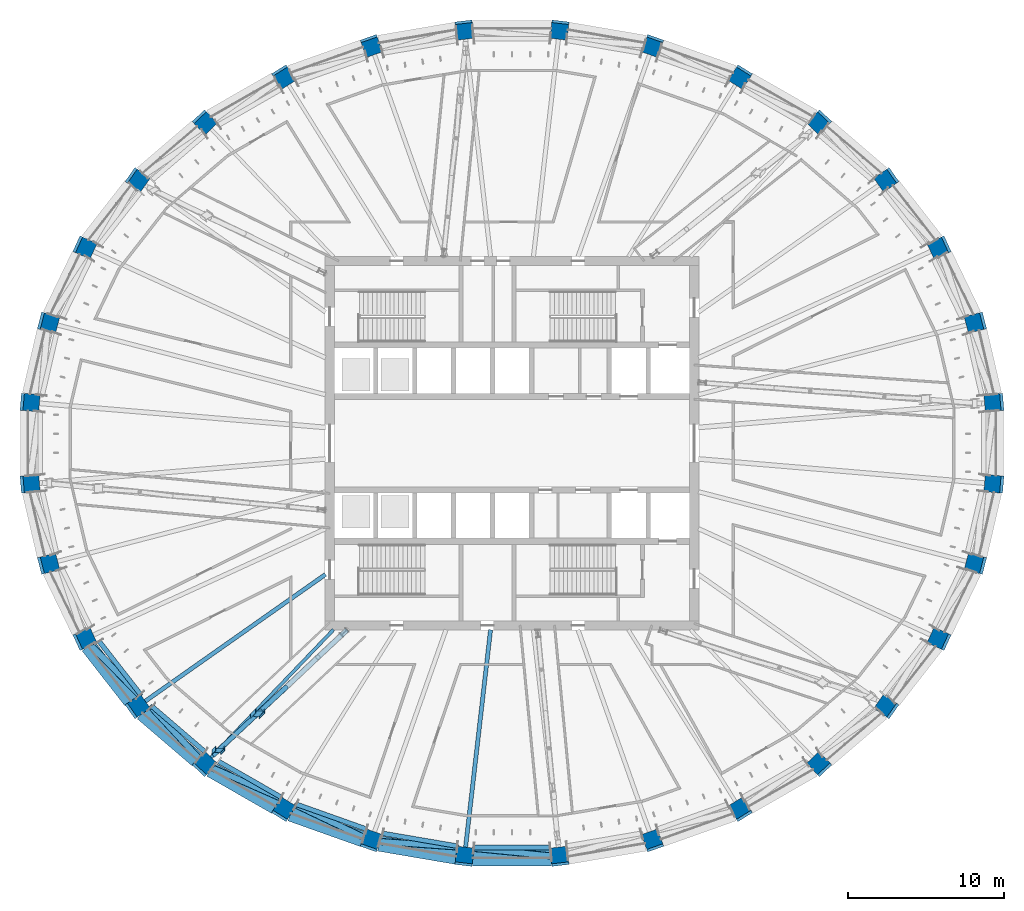
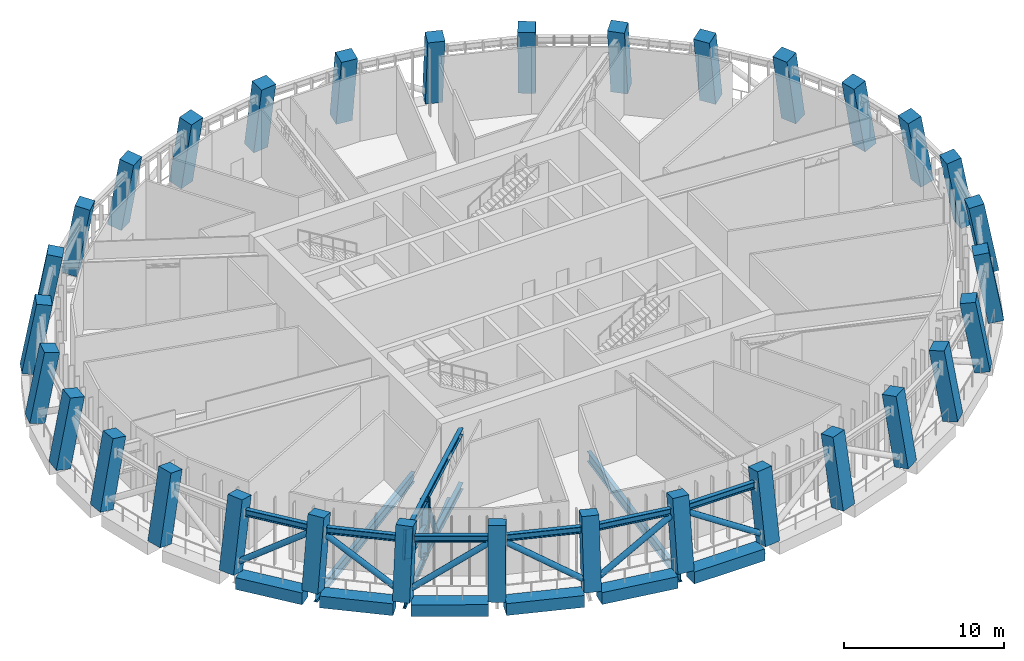
# One storey, part 1 of 20: 32 columns, 18 members, 9 beams.
"""IFC4 building model written with IfcOpenShell, lengths in metres."""

from ifc_helpers import new_model, si_unit, direction, frame, origin, origin_2d, place, context, subcontext, project, spatial, rectangle, hollow_circle, i_section, extrude, material, material_profile, profile_set, type_object, element, save


model = new_model("IFC4")

# Units and contexts
model_context = context("Model", 3, precision=1e-05, world=origin(), true_north=direction((0.0, 1.0)))
body_context = subcontext(model_context, "Body", "Model", "MODEL_VIEW")
ifc_project = project(units=[si_unit("LENGTHUNIT", "METRE"), si_unit("AREAUNIT", "SQUARE_METRE"), si_unit("VOLUMEUNIT", "CUBIC_METRE"), si_unit("PLANEANGLEUNIT", "RADIAN"), si_unit("MASSUNIT", "GRAM", prefix="KILO")], contexts=[model_context])

# Site, building, storey
site_placement = place(None, origin())
site = spatial("IfcSite", under=ifc_project, at=site_placement, CompositionType="ELEMENT")
building_placement = place(site_placement, origin())
building = spatial("IfcBuilding", under=site, at=building_placement, Name="Halqa Exchange Tower", CompositionType="ELEMENT")
storey_placement = place(building_placement, frame((0.0, 0.0, 250.89990234375)))
storey = spatial("IfcBuildingStorey", under=building, at=storey_placement, Name="L58", CompositionType="ELEMENT", Elevation=250.89990234375)

# Columns
ifc_material_1 = material(Name="Concrete C60/75", Category="concrete")
ifc_material_profile_1 = material_profile(ifc_material_1, rectangle(XDim=1.10009765625, YDim=1.0, at=origin_2d()), Name="1100 x 1000")
ifc_profile_set_1 = profile_set([ifc_material_profile_1], Name="Concrete C60/75")
column_type = type_object("IfcColumnType", Name="RC ring column 1100 x 1000 C60/75", PredefinedType="COLUMN", material=ifc_profile_set_1)
column_1_placement = place(storey_placement, frame((31.04345703125, 2.62060546875, 0.090576171875), z_axis=(-0.181191645558, -0.015271801555, 0.983329222416), x_axis=(0.083987554909, -0.996466803572, 0.0)))
element("IfcColumn", 1, at=column_1_placement, inside=storey, type_object=column_type, Name="Ring column 1", PredefinedType="COLUMN", context=body_context, shape_type="SweptSolid", body=[
    extrude(rectangle(XDim=1.10009765625, YDim=1.0, at=origin_2d()), origin(), (0.0, 0.0, 1.0), 5.307373046875),
])
column_2_placement = place(storey_placement, frame((29.8505859375, 7.76171875, 0.08984375), z_axis=(-0.174299234712, -0.045357362213, 0.983647541791), x_axis=(0.251839594723, -0.967768990271, 0.0)))
element("IfcColumn", 2, at=column_2_placement, inside=storey, type_object=column_type, Name="Ring column 2", PredefinedType="COLUMN", context=body_context, shape_type="SweptSolid", body=[
    extrude(rectangle(XDim=1.10009765625, YDim=1.0, at=origin_2d()), origin(), (0.0, 0.0, 1.0), 5.30712890625),
])
column_3_placement = place(storey_placement, frame((27.5107421875, 12.604248046875, 0.088134765625), z_axis=(-0.160721780276, -0.073644982891, 0.984248406572), x_axis=(0.416565116305, -0.909105881555, 0.0)))
element("IfcColumn", 3, at=column_3_placement, inside=storey, type_object=column_type, Name="Ring column 3", PredefinedType="COLUMN", context=body_context, shape_type="SweptSolid", body=[
    extrude(rectangle(XDim=1.10009765625, YDim=1.0, at=origin_2d()), origin(), (0.0, 0.0, 1.0), 5.307373046875),
])
column_4_placement = place(storey_placement, frame((24.11376953125, 16.96240234375, 0.0859375), z_axis=(-0.14102688006, -0.099169586892, 0.985026300226), x_axis=(0.575215805529, -0.818001697473, 0.0)))
element("IfcColumn", 4, at=column_4_placement, inside=storey, type_object=column_type, Name="Ring column 4", PredefinedType="COLUMN", context=body_context, shape_type="SweptSolid", body=[
    extrude(rectangle(XDim=1.10009765625, YDim=1.0, at=origin_2d()), origin(), (0.0, 0.0, 1.0), 5.307861328125),
])
column_5_placement = place(storey_placement, frame((19.789794921875, 20.669189453125, 0.08349609375), z_axis=(-0.115812481815, -0.12096379157, 0.985877898213), x_axis=(0.722319686129, -0.691559304059, 0.0)))
element("IfcColumn", 5, at=column_5_placement, inside=storey, type_object=column_type, Name="Ring column 5", PredefinedType="COLUMN", context=body_context, shape_type="SweptSolid", body=[
    extrude(rectangle(XDim=1.10009765625, YDim=1.0, at=origin_2d()), origin(), (0.0, 0.0, 1.0), 5.30810546875),
])
column_6_placement = place(storey_placement, frame((14.705322265625, 23.581787109375, 0.081298828125), z_axis=(-0.086092626008, -0.138152910538, 0.986661964939), x_axis=(0.848695936688, -0.528881089707, 0.0)))
element("IfcColumn", 6, at=column_6_placement, inside=storey, type_object=column_type, Name="Ring column 6", PredefinedType="COLUMN", context=body_context, shape_type="SweptSolid", body=[
    extrude(rectangle(XDim=1.10009765625, YDim=1.0, at=origin_2d()), origin(), (0.0, 0.0, 1.0), 5.30859375),
])
column_7_placement = place(storey_placement, frame((9.0556640625, 25.587890625, 0.079345703125), z_axis=(-0.053067495482, -0.149959361151, 0.987266950184), x_axis=(0.942712482292, -0.333606318481, 0.0)))
element("IfcColumn", 7, at=column_7_placement, inside=storey, type_object=column_type, Name="Ring column 7", PredefinedType="COLUMN", context=body_context, shape_type="SweptSolid", body=[
    extrude(rectangle(XDim=1.10009765625, YDim=1.0, at=origin_2d()), origin(), (0.0, 0.0, 1.0), 5.30908203125),
])
for number, where, z_axis, x_axis, name in (
    (8, (3.057861328125, 26.610595703125, 0.078369140625), (-0.017979718295, -0.155977505007, 0.987596956082), (0.993421756162, -0.11451294418, 0.0), "Ring column 8"),
    (9, (-3.057861328125, 26.610595703125, 0.078369140625), (0.017979718295, -0.155977505007, 0.987596956082), (0.993421756162, 0.11451294418, 0.0), "Ring column 9"),
):
    element("IfcColumn", number, at=place(storey_placement, frame(where, z_axis=z_axis, x_axis=x_axis)), inside=storey, type_object=column_type, Name=name, PredefinedType="COLUMN", context=body_context, shape_type="SweptSolid", body=[
        extrude(rectangle(XDim=1.10009765625, YDim=1.0, at=origin_2d()), origin(), (0.0, 0.0, 1.0), 5.309326171875),
    ])
column_8_placement = place(storey_placement, frame((-9.0556640625, 25.587890625, 0.079345703125), z_axis=(0.053067495482, -0.149959361151, 0.987266950184), x_axis=(0.942712482292, 0.333606318481, 0.0)))
element("IfcColumn", 10, at=column_8_placement, inside=storey, type_object=column_type, Name="Ring column 10", PredefinedType="COLUMN", context=body_context, shape_type="SweptSolid", body=[
    extrude(rectangle(XDim=1.10009765625, YDim=1.0, at=origin_2d()), origin(), (0.0, 0.0, 1.0), 5.30908203125),
])
column_9_placement = place(storey_placement, frame((-14.705322265625, 23.581787109375, 0.081298828125), z_axis=(0.086092626008, -0.138152910538, 0.986661964939), x_axis=(0.848695936688, 0.528881089707, 0.0)))
element("IfcColumn", 11, at=column_9_placement, inside=storey, type_object=column_type, Name="Ring column 11", PredefinedType="COLUMN", context=body_context, shape_type="SweptSolid", body=[
    extrude(rectangle(XDim=1.10009765625, YDim=1.0, at=origin_2d()), origin(), (0.0, 0.0, 1.0), 5.30859375),
])
column_10_placement = place(storey_placement, frame((-19.789794921875, 20.669189453125, 0.08349609375), z_axis=(0.115812481815, -0.12096379157, 0.985877898213), x_axis=(0.722319686129, 0.691559304059, 0.0)))
element("IfcColumn", 12, at=column_10_placement, inside=storey, type_object=column_type, Name="Ring column 12", PredefinedType="COLUMN", context=body_context, shape_type="SweptSolid", body=[
    extrude(rectangle(XDim=1.10009765625, YDim=1.0, at=origin_2d()), origin(), (0.0, 0.0, 1.0), 5.30810546875),
])
column_11_placement = place(storey_placement, frame((-24.11376953125, 16.96240234375, 0.0859375), z_axis=(0.14102688006, -0.099169586892, 0.985026300226), x_axis=(0.575215805529, 0.818001697473, 0.0)))
element("IfcColumn", 13, at=column_11_placement, inside=storey, type_object=column_type, Name="Ring column 13", PredefinedType="COLUMN", context=body_context, shape_type="SweptSolid", body=[
    extrude(rectangle(XDim=1.10009765625, YDim=1.0, at=origin_2d()), origin(), (0.0, 0.0, 1.0), 5.307861328125),
])
column_12_placement = place(storey_placement, frame((-27.5107421875, 12.604248046875, 0.088134765625), z_axis=(0.160721780276, -0.073644982891, 0.984248406572), x_axis=(0.416565116305, 0.909105881555, 0.0)))
element("IfcColumn", 14, at=column_12_placement, inside=storey, type_object=column_type, Name="Ring column 14", PredefinedType="COLUMN", context=body_context, shape_type="SweptSolid", body=[
    extrude(rectangle(XDim=1.10009765625, YDim=1.0, at=origin_2d()), origin(), (0.0, 0.0, 1.0), 5.307373046875),
])
column_13_placement = place(storey_placement, frame((-29.8505859375, 7.76171875, 0.08984375), z_axis=(0.174299234712, -0.045357362213, 0.983647541791), x_axis=(0.251839594723, 0.967768990271, 0.0)))
element("IfcColumn", 15, at=column_13_placement, inside=storey, type_object=column_type, Name="Ring column 15", PredefinedType="COLUMN", context=body_context, shape_type="SweptSolid", body=[
    extrude(rectangle(XDim=1.10009765625, YDim=1.0, at=origin_2d()), origin(), (0.0, 0.0, 1.0), 5.30712890625),
])
for number, where, z_axis, x_axis, name in (
    (16, (-31.04345703125, 2.62060546875, 0.090576171875), (0.181191645558, -0.015271801555, 0.983329222416), (0.083987554909, 0.996466803572, 0.0), "Ring column 16"),
    (17, (-31.04345703125, -2.62060546875, 0.090576171875), (0.181191645558, 0.015271801555, 0.983329222416), (-0.083987554909, 0.996466803572, 0.0), "Ring column 17"),
):
    element("IfcColumn", number, at=place(storey_placement, frame(where, z_axis=z_axis, x_axis=x_axis)), inside=storey, type_object=column_type, Name=name, PredefinedType="COLUMN", context=body_context, shape_type="SweptSolid", body=[
        extrude(rectangle(XDim=1.10009765625, YDim=1.0, at=origin_2d()), origin(), (0.0, 0.0, 1.0), 5.307373046875),
    ])
column_14_placement = place(storey_placement, frame((-29.8505859375, -7.76171875, 0.08984375), z_axis=(0.174299234712, 0.045357362213, 0.983647541791), x_axis=(-0.251839594723, 0.967768990271, 0.0)))
element("IfcColumn", 18, at=column_14_placement, inside=storey, type_object=column_type, Name="Ring column 18", PredefinedType="COLUMN", context=body_context, shape_type="SweptSolid", body=[
    extrude(rectangle(XDim=1.10009765625, YDim=1.0, at=origin_2d()), origin(), (0.0, 0.0, 1.0), 5.30712890625),
])
column_15_placement = place(storey_placement, frame((-27.5107421875, -12.604248046875, 0.088134765625), z_axis=(0.160721780276, 0.073644982891, 0.984248406572), x_axis=(-0.416565116305, 0.909105881555, 0.0)))
element("IfcColumn", 19, at=column_15_placement, inside=storey, type_object=column_type, Name="Ring column 19", PredefinedType="COLUMN", context=body_context, shape_type="SweptSolid", body=[
    extrude(rectangle(XDim=1.10009765625, YDim=1.0, at=origin_2d()), origin(), (0.0, 0.0, 1.0), 5.307373046875),
])
column_16_placement = place(storey_placement, frame((-24.11376953125, -16.96240234375, 0.0859375), z_axis=(0.14102688006, 0.099169586892, 0.985026300226), x_axis=(-0.575215805529, 0.818001697473, 0.0)))
element("IfcColumn", 20, at=column_16_placement, inside=storey, type_object=column_type, Name="Ring column 20", PredefinedType="COLUMN", context=body_context, shape_type="SweptSolid", body=[
    extrude(rectangle(XDim=1.10009765625, YDim=1.0, at=origin_2d()), origin(), (0.0, 0.0, 1.0), 5.307861328125),
])
column_17_placement = place(storey_placement, frame((-19.789794921875, -20.669189453125, 0.08349609375), z_axis=(0.115812481815, 0.12096379157, 0.985877898213), x_axis=(-0.722319686129, 0.691559304059, 0.0)))
element("IfcColumn", 21, at=column_17_placement, inside=storey, type_object=column_type, Name="Ring column 21", PredefinedType="COLUMN", context=body_context, shape_type="SweptSolid", body=[
    extrude(rectangle(XDim=1.10009765625, YDim=1.0, at=origin_2d()), origin(), (0.0, 0.0, 1.0), 5.30810546875),
])
column_18_placement = place(storey_placement, frame((-14.705322265625, -23.581787109375, 0.081298828125), z_axis=(0.086092626008, 0.138152910538, 0.986661964939), x_axis=(-0.848695936688, 0.528881089707, 0.0)))
element("IfcColumn", 22, at=column_18_placement, inside=storey, type_object=column_type, Name="Ring column 22", PredefinedType="COLUMN", context=body_context, shape_type="SweptSolid", body=[
    extrude(rectangle(XDim=1.10009765625, YDim=1.0, at=origin_2d()), origin(), (0.0, 0.0, 1.0), 5.30859375),
])
column_19_placement = place(storey_placement, frame((-9.0556640625, -25.587890625, 0.079345703125), z_axis=(0.053067495482, 0.149959361151, 0.987266950184), x_axis=(-0.942712482292, 0.333606318481, 0.0)))
element("IfcColumn", 23, at=column_19_placement, inside=storey, type_object=column_type, Name="Ring column 23", PredefinedType="COLUMN", context=body_context, shape_type="SweptSolid", body=[
    extrude(rectangle(XDim=1.10009765625, YDim=1.0, at=origin_2d()), origin(), (0.0, 0.0, 1.0), 5.30908203125),
])
for number, where, z_axis, x_axis, name in (
    (24, (-3.057861328125, -26.610595703125, 0.078369140625), (0.017979718295, 0.155977505007, 0.987596956082), (-0.993421756162, 0.11451294418, 0.0), "Ring column 24"),
    (25, (3.057861328125, -26.610595703125, 0.078369140625), (-0.017979718295, 0.155977505007, 0.987596956082), (-0.993421756162, -0.11451294418, 0.0), "Ring column 25"),
):
    element("IfcColumn", number, at=place(storey_placement, frame(where, z_axis=z_axis, x_axis=x_axis)), inside=storey, type_object=column_type, Name=name, PredefinedType="COLUMN", context=body_context, shape_type="SweptSolid", body=[
        extrude(rectangle(XDim=1.10009765625, YDim=1.0, at=origin_2d()), origin(), (0.0, 0.0, 1.0), 5.309326171875),
    ])
column_20_placement = place(storey_placement, frame((9.0556640625, -25.587890625, 0.079345703125), z_axis=(-0.053067495482, 0.149959361151, 0.987266950184), x_axis=(-0.942712482292, -0.333606318481, 0.0)))
element("IfcColumn", 26, at=column_20_placement, inside=storey, type_object=column_type, Name="Ring column 26", PredefinedType="COLUMN", context=body_context, shape_type="SweptSolid", body=[
    extrude(rectangle(XDim=1.10009765625, YDim=1.0, at=origin_2d()), origin(), (0.0, 0.0, 1.0), 5.30908203125),
])
column_21_placement = place(storey_placement, frame((14.705322265625, -23.581787109375, 0.081298828125), z_axis=(-0.086092626008, 0.138152910538, 0.986661964939), x_axis=(-0.848695936688, -0.528881089707, 0.0)))
element("IfcColumn", 27, at=column_21_placement, inside=storey, type_object=column_type, Name="Ring column 27", PredefinedType="COLUMN", context=body_context, shape_type="SweptSolid", body=[
    extrude(rectangle(XDim=1.10009765625, YDim=1.0, at=origin_2d()), origin(), (0.0, 0.0, 1.0), 5.30859375),
])
column_22_placement = place(storey_placement, frame((19.789794921875, -20.669189453125, 0.08349609375), z_axis=(-0.115812481815, 0.12096379157, 0.985877898213), x_axis=(-0.722319686129, -0.691559304059, 0.0)))
element("IfcColumn", 28, at=column_22_placement, inside=storey, type_object=column_type, Name="Ring column 28", PredefinedType="COLUMN", context=body_context, shape_type="SweptSolid", body=[
    extrude(rectangle(XDim=1.10009765625, YDim=1.0, at=origin_2d()), origin(), (0.0, 0.0, 1.0), 5.30810546875),
])
column_23_placement = place(storey_placement, frame((24.11376953125, -16.96240234375, 0.0859375), z_axis=(-0.14102688006, 0.099169586892, 0.985026300226), x_axis=(-0.575215805529, -0.818001697473, 0.0)))
element("IfcColumn", 29, at=column_23_placement, inside=storey, type_object=column_type, Name="Ring column 29", PredefinedType="COLUMN", context=body_context, shape_type="SweptSolid", body=[
    extrude(rectangle(XDim=1.10009765625, YDim=1.0, at=origin_2d()), origin(), (0.0, 0.0, 1.0), 5.307861328125),
])
column_24_placement = place(storey_placement, frame((27.5107421875, -12.604248046875, 0.088134765625), z_axis=(-0.160721780276, 0.073644982891, 0.984248406572), x_axis=(-0.416565116305, -0.909105881555, 0.0)))
element("IfcColumn", 30, at=column_24_placement, inside=storey, type_object=column_type, Name="Ring column 30", PredefinedType="COLUMN", context=body_context, shape_type="SweptSolid", body=[
    extrude(rectangle(XDim=1.10009765625, YDim=1.0, at=origin_2d()), origin(), (0.0, 0.0, 1.0), 5.307373046875),
])
column_25_placement = place(storey_placement, frame((29.8505859375, -7.76171875, 0.08984375), z_axis=(-0.174299234712, 0.045357362213, 0.983647541791), x_axis=(-0.251839594723, -0.967768990271, 0.0)))
element("IfcColumn", 31, at=column_25_placement, inside=storey, type_object=column_type, Name="Ring column 31", PredefinedType="COLUMN", context=body_context, shape_type="SweptSolid", body=[
    extrude(rectangle(XDim=1.10009765625, YDim=1.0, at=origin_2d()), origin(), (0.0, 0.0, 1.0), 5.30712890625),
])
column_26_placement = place(storey_placement, frame((31.04345703125, -2.62060546875, 0.090576171875), z_axis=(-0.181191645558, 0.015271801555, 0.983329222416), x_axis=(-0.083987554909, -0.996466803572, 0.0)))
element("IfcColumn", 32, at=column_26_placement, inside=storey, type_object=column_type, Name="Ring column 32", PredefinedType="COLUMN", context=body_context, shape_type="SweptSolid", body=[
    extrude(rectangle(XDim=1.10009765625, YDim=1.0, at=origin_2d()), origin(), (0.0, 0.0, 1.0), 5.307373046875),
])

# Members
ifc_material_2 = material(Name="Steel S355", Category="steel")
ifc_material_profile_2 = material_profile(ifc_material_2, i_section(OverallWidth=0.300048828125, OverallDepth=0.5, WebThickness=0.014404296875, FlangeThickness=0.028076171875, FilletRadius=0.027099609375, at=origin_2d()), Name="HEB 500")
ifc_profile_set_2 = profile_set([ifc_material_profile_2], Name="Steel S355")
member_type_1 = type_object("IfcMemberType", Name="Belt truss chord HEB 500", PredefinedType="CHORD", material=ifc_profile_set_2)
member_1_placement = place(storey_placement, frame((-26.5087890625, -12.706298828125, 4.25), z_axis=(0.61482050044, -0.78866707313, 0.0), x_axis=(0.78866707313, 0.61482050044, 0.0)))
element("IfcMember", 33, at=member_1_placement, inside=storey, type_object=member_type_1, Name="Belt chord 19", PredefinedType="CHORD", context=body_context, shape_type="SweptSolid", body=[
    extrude(i_section(OverallWidth=0.300048828125, OverallDepth=0.5, WebThickness=0.014404296875, FlangeThickness=0.028076171875, FilletRadius=0.027099609375, at=origin_2d()), origin(), (0.0, 0.0, 1.0), 4.33935546875),
])
member_2_placement = place(storey_placement, frame((-23.118896484375, -16.885009765625, 4.25), z_axis=(0.759271904272, -0.650773520807, 0.0), x_axis=(0.650773520807, 0.759271904272, 0.0)))
element("IfcMember", 34, at=member_2_placement, inside=storey, type_object=member_type_1, Name="Belt chord 20", PredefinedType="CHORD", context=body_context, shape_type="SweptSolid", body=[
    extrude(i_section(OverallWidth=0.300048828125, OverallDepth=0.5, WebThickness=0.014404296875, FlangeThickness=0.028076171875, FilletRadius=0.027099609375, at=origin_2d()), origin(), (0.0, 0.0, 1.0), 4.5048828125),
])
member_3_placement = place(storey_placement, frame((-18.845703125, -20.41845703125, 4.25), z_axis=(0.867756652631, -0.496989327666, 0.0), x_axis=(0.496989327666, 0.867756652631, 0.0)))
element("IfcMember", 35, at=member_3_placement, inside=storey, type_object=member_type_1, Name="Belt chord 21", PredefinedType="CHORD", context=body_context, shape_type="SweptSolid", body=[
    extrude(i_section(OverallWidth=0.300048828125, OverallDepth=0.5, WebThickness=0.014404296875, FlangeThickness=0.028076171875, FilletRadius=0.027099609375, at=origin_2d()), origin(), (0.0, 0.0, 1.0), 4.667236328125),
])
member_4_placement = place(storey_placement, frame((-13.8466796875, -23.173828125, 4.25), z_axis=(0.942372371925, -0.334565856944, 0.0), x_axis=(0.334565856944, 0.942372371925, 0.0)))
element("IfcMember", 36, at=member_4_placement, inside=storey, type_object=member_type_1, Name="Belt chord 22", PredefinedType="CHORD", context=body_context, shape_type="SweptSolid", body=[
    extrude(i_section(OverallWidth=0.300048828125, OverallDepth=0.5, WebThickness=0.014404296875, FlangeThickness=0.028076171875, FilletRadius=0.027099609375, at=origin_2d()), origin(), (0.0, 0.0, 1.0), 4.797119140625),
])
member_5_placement = place(storey_placement, frame((-8.314453125, -25.04248046875, 4.25), z_axis=(0.985775224511, -0.168069053487, 0.0), x_axis=(0.168069053487, 0.985775224511, 0.0)))
element("IfcMember", 37, at=member_5_placement, inside=storey, type_object=member_type_1, Name="Belt chord 23", PredefinedType="CHORD", context=body_context, shape_type="SweptSolid", body=[
    extrude(i_section(OverallWidth=0.300048828125, OverallDepth=0.5, WebThickness=0.014404296875, FlangeThickness=0.028076171875, FilletRadius=0.027099609375, at=origin_2d()), origin(), (0.0, 0.0, 1.0), 4.88525390625),
])
member_6_placement = place(storey_placement, frame((-2.457763671875, -25.95166015625, 4.25), z_axis=(1.0, 0.0, 0.0), x_axis=(0.0, 1.0, 0.0)))
element("IfcMember", 38, at=member_6_placement, inside=storey, type_object=member_type_1, Name="Belt chord 24", PredefinedType="CHORD", context=body_context, shape_type="SweptSolid", body=[
    extrude(i_section(OverallWidth=0.300048828125, OverallDepth=0.5, WebThickness=0.014404296875, FlangeThickness=0.028076171875, FilletRadius=0.027099609375, at=origin_2d()), origin(), (0.0, 0.0, 1.0), 4.91552734375),
])
ifc_material_profile_3 = material_profile(ifc_material_2, hollow_circle(Radius=0.203125, WallThickness=0.02490234375, at=origin_2d()), Name="CHS 406.4x25")
ifc_profile_set_3 = profile_set([ifc_material_profile_3], Name="Steel S355")
member_type_2 = type_object("IfcMemberType", Name="Belt truss diagonal CHS 406.4x25", PredefinedType="BRACE", material=ifc_profile_set_3)
member_7_placement = place(storey_placement, frame((-27.0673828125, -12.953857421875, 0.859619140625), z_axis=(0.583758108215, -0.590249781325, 0.557522794815), x_axis=(0.711005856478, 0.703186086363, 0.0)))
element("IfcMember", 39, at=member_7_placement, inside=storey, type_object=member_type_2, Name="Belt diagonal 19", PredefinedType="BRACE", context=body_context, shape_type="SweptSolid", body=[
    extrude(hollow_circle(Radius=0.203125, WallThickness=0.02490234375, at=origin_2d()), origin(), (0.0, 0.0, 1.0), 5.453125),
])
member_8_placement = place(storey_placement, frame((-23.163330078125, -16.925537109375, 3.898193359375), z_axis=(0.563415694904, -0.607920724662, -0.559459692259), x_axis=(0.733444146375, 0.679749721698, 0.0)))
element("IfcMember", 40, at=member_8_placement, inside=storey, type_object=member_type_2, Name="Belt diagonal 20", PredefinedType="BRACE", context=body_context, shape_type="SweptSolid", body=[
    extrude(hollow_circle(Radius=0.203125, WallThickness=0.02490234375, at=origin_2d()), origin(), (0.0, 0.0, 1.0), 5.430908203125),
])
member_9_placement = place(storey_placement, frame((-19.253173828125, -20.8330078125, 0.8388671875), z_axis=(0.772303546077, -0.34041068246, 0.536346716205), x_axis=(0.403331268283, 0.915054035577, 0.0)))
element("IfcMember", 41, at=member_9_placement, inside=storey, type_object=member_type_2, Name="Belt diagonal 21", PredefinedType="BRACE", context=body_context, shape_type="SweptSolid", body=[
    extrude(hollow_circle(Radius=0.203125, WallThickness=0.02490234375, at=origin_2d()), origin(), (0.0, 0.0, 1.0), 5.740478515625),
])
member_10_placement = place(storey_placement, frame((-13.869384765625, -23.22265625, 3.91650390625), z_axis=(0.761266950959, -0.362284552334, -0.537794135815), x_axis=(0.429717450535, 0.902963406072, 0.0)))
element("IfcMember", 42, at=member_10_placement, inside=storey, type_object=member_type_2, Name="Belt diagonal 22", PredefinedType="BRACE", context=body_context, shape_type="SweptSolid", body=[
    extrude(hollow_circle(Radius=0.203125, WallThickness=0.02490234375, at=origin_2d()), origin(), (0.0, 0.0, 1.0), 5.721435546875),
])
member_11_placement = place(storey_placement, frame((-8.503662109375, -25.5615234375, 0.828125), z_axis=(0.848471118309, -0.059945203271, 0.525835843206), x_axis=(0.070475176163, 0.997513533515, 0.0)))
element("IfcMember", 43, at=member_11_placement, inside=storey, type_object=member_type_2, Name="Belt diagonal 23", PredefinedType="BRACE", context=body_context, shape_type="SweptSolid", body=[
    extrude(hollow_circle(Radius=0.203125, WallThickness=0.02490234375, at=origin_2d()), origin(), (0.0, 0.0, 1.0), 5.893310546875),
])
member_12_placement = place(storey_placement, frame((-2.4619140625, -26.002685546875, 3.9267578125), z_axis=(0.846321939082, -0.08311091188, -0.526148032168), x_axis=(0.097732356965, 0.995212734244, 0.0)))
element("IfcMember", 44, at=member_12_placement, inside=storey, type_object=member_type_2, Name="Belt diagonal 24", PredefinedType="BRACE", context=body_context, shape_type="SweptSolid", body=[
    extrude(hollow_circle(Radius=0.203125, WallThickness=0.02490234375, at=origin_2d()), origin(), (0.0, 0.0, 1.0), 5.8896484375),
])

# Beams
ifc_material_profile_4 = material_profile(ifc_material_2, i_section(OverallWidth=0.2099609375, OverallDepth=0.550048828125, WebThickness=0.010986328125, FlangeThickness=0.01708984375, FilletRadius=0.02392578125, at=origin_2d()), Name="IPE 550")
ifc_profile_set_4 = profile_set([ifc_material_profile_4], Name="Steel S355")
beam_type_1 = type_object("IfcBeamType", Name="Floor beam IPE 550", PredefinedType="BEAM", material=ifc_profile_set_4)
beam_1_placement = place(storey_placement, frame((-11.462646484375, -11.971923828125, -0.625), z_axis=(-0.691575675891, -0.722304011145, 0.0), x_axis=(0.722304011145, -0.691575675891, 0.0)))
element("IfcBeam", 45, at=beam_1_placement, inside=storey, type_object=beam_type_1, Name="Radial beam 21", PredefinedType="BEAM", context=body_context, shape_type="SweptSolid", body=[
    extrude(i_section(OverallWidth=0.2099609375, OverallDepth=0.550048828125, WebThickness=0.010986328125, FlangeThickness=0.01708984375, FilletRadius=0.02392578125, at=origin_2d()), origin(), (0.0, 0.0, 1.0), 11.679443359375),
])
ifc_material_profile_5 = material_profile(ifc_material_2, i_section(OverallWidth=0.264892578125, OverallDepth=0.7529296875, WebThickness=0.01318359375, FlangeThickness=0.01708984375, FilletRadius=0.01708984375, at=origin_2d()), Name="IPE 750x147")
ifc_profile_set_5 = profile_set([ifc_material_profile_5], Name="Steel S355")
beam_type_2 = type_object("IfcBeamType", Name="Floor beam IPE 750x147", PredefinedType="BEAM", material=ifc_profile_set_5)
beam_2_placement = place(storey_placement, frame((-11.97216796875, -8.421630859375, -0.726318359375), z_axis=(-0.817908068869, -0.575348929676, 0.0), x_axis=(0.575348929676, -0.817908068869, 0.0)))
element("IfcBeam", 46, at=beam_2_placement, inside=storey, type_object=beam_type_2, Name="Radial beam 20", PredefinedType="BEAM", context=body_context, shape_type="SweptSolid", body=[
    extrude(i_section(OverallWidth=0.264892578125, OverallDepth=0.7529296875, WebThickness=0.01318359375, FlangeThickness=0.01708984375, FilletRadius=0.01708984375, at=origin_2d()), origin(), (0.0, 0.0, 1.0), 14.48388671875),
])
beam_3_placement = place(storey_placement, frame((-1.375732421875, -11.972900390625, -0.726318359375), z_axis=(-0.114151559232, -0.993463346845, 0.0), x_axis=(0.993463346845, -0.114151559232, 0.0)))
element("IfcBeam", 47, at=beam_3_placement, inside=storey, type_object=beam_type_2, Name="Radial beam 24", PredefinedType="BEAM", context=body_context, shape_type="SweptSolid", body=[
    extrude(i_section(OverallWidth=0.264892578125, OverallDepth=0.7529296875, WebThickness=0.01318359375, FlangeThickness=0.01708984375, FilletRadius=0.01708984375, at=origin_2d()), origin(), (0.0, 0.0, 1.0), 14.37451171875),
])

# Members
ifc_material_profile_6 = material_profile(ifc_material_2, i_section(OverallWidth=0.300048828125, OverallDepth=0.5, WebThickness=0.014404296875, FlangeThickness=0.028076171875, FilletRadius=0.027099609375, at=origin_2d()), Name="HEB 500")
ifc_profile_set_6 = profile_set([ifc_material_profile_6], Name="Steel S355")
member_type_3 = type_object("IfcMemberType", Name="Outrigger chord HEB 500", PredefinedType="CHORD", material=ifc_profile_set_6)
member_13_placement = place(storey_placement, frame((-10.580322265625, -11.981689453125, 0.25), z_axis=(-0.728886633852, -0.684634409734, 0.0), x_axis=(0.684634409734, -0.728886633852, 0.0)))
element("IfcMember", 48, at=member_13_placement, inside=storey, type_object=member_type_3, Name="Outrigger 6 chord", PredefinedType="CHORD", context=body_context, shape_type="SweptSolid", body=[
    extrude(i_section(OverallWidth=0.300048828125, OverallDepth=0.5, WebThickness=0.014404296875, FlangeThickness=0.028076171875, FilletRadius=0.027099609375, at=origin_2d()), origin(), (0.0, 0.0, 1.0), 8.1376953125),
])
member_14_placement = place(storey_placement, frame((-10.580322265625, -11.981689453125, 4.400146484375), z_axis=(-0.731111996095, -0.682257465453, 0.0), x_axis=(0.682257465453, -0.731111996095, 0.0)))
element("IfcMember", 49, at=member_14_placement, inside=storey, type_object=member_type_3, Name="Outrigger 6 chord", PredefinedType="CHORD", context=body_context, shape_type="SweptSolid", body=[
    extrude(i_section(OverallWidth=0.300048828125, OverallDepth=0.5, WebThickness=0.014404296875, FlangeThickness=0.028076171875, FilletRadius=0.027099609375, at=origin_2d()), origin(), (0.0, 0.0, 1.0), 11.44873046875),
])
ifc_material_profile_7 = material_profile(ifc_material_2, hollow_circle(Radius=0.161865234375, WallThickness=0.01611328125, at=origin_2d()), Name="CHS 323.9x16")
ifc_profile_set_7 = profile_set([ifc_material_profile_7], Name="Steel S355")
member_type_4 = type_object("IfcMemberType", Name="Outrigger diagonal CHS 323.9x16", PredefinedType="BRACE", material=ifc_profile_set_7)
member_15_placement = place(storey_placement, frame((-14.528076171875, -15.689697265625, 0.25), z_axis=(-0.348023714425, -0.319717301782, 0.881283348952), x_axis=(0.676524010763, -0.736420574713, 0.0)))
element("IfcMember", 50, at=member_15_placement, inside=storey, type_object=member_type_4, Name="Outrigger 6 diagonal", PredefinedType="BRACE", context=body_context, shape_type="SweptSolid", body=[
    extrude(hollow_circle(Radius=0.161865234375, WallThickness=0.01611328125, at=origin_2d()), origin(), (0.0, 0.0, 1.0), 4.709228515625),
])
ifc_material_profile_8 = material_profile(ifc_material_2, i_section(OverallWidth=0.300048828125, OverallDepth=0.300048828125, WebThickness=0.010986328125, FlangeThickness=0.01904296875, FilletRadius=0.027099609375, at=origin_2d()), Name="HEB 300")
ifc_profile_set_8 = profile_set([ifc_material_profile_8], Name="Steel S355")
member_type_5 = type_object("IfcMemberType", Name="Outrigger opening chord HEB 300", PredefinedType="CHORD", material=ifc_profile_set_8)
member_16_placement = place(storey_placement, frame((-16.32763671875, -17.36279296875, 2.35009765625), z_axis=(-0.729967888372, -0.683481442284, 0.0), x_axis=(0.683481442284, -0.729967888372, 0.0)))
element("IfcMember", 51, at=member_16_placement, inside=storey, type_object=member_type_5, Name="Outrigger 6 opening chord", PredefinedType="CHORD", context=body_context, shape_type="SweptSolid", body=[
    extrude(i_section(OverallWidth=0.300048828125, OverallDepth=0.300048828125, WebThickness=0.010986328125, FlangeThickness=0.01904296875, FilletRadius=0.027099609375, at=origin_2d()), origin(), (0.0, 0.0, 1.0), 3.923095703125),
])
ifc_material_profile_9 = material_profile(ifc_material_2, i_section(OverallWidth=0.300048828125, OverallDepth=0.60009765625, WebThickness=0.015380859375, FlangeThickness=0.030029296875, FilletRadius=0.027099609375, at=origin_2d()), Name="HEB 600")
ifc_profile_set_9 = profile_set([ifc_material_profile_9], Name="Steel S355")
member_type_6 = type_object("IfcMemberType", Name="Outrigger post HEB 600", PredefinedType="POST", material=ifc_profile_set_9)
member_17_placement = place(storey_placement, frame((-16.4921875, -17.53466796875, 0.25), z_axis=(0.077859820118, 0.081250112586, 0.993647959599), x_axis=(0.006663797047, 0.996608867472, -0.082014383402)))
element("IfcMember", 52, at=member_17_placement, inside=storey, type_object=member_type_6, Name="Outrigger 6 post", PredefinedType="POST", context=body_context, shape_type="SweptSolid", body=[
    extrude(i_section(OverallWidth=0.300048828125, OverallDepth=0.60009765625, WebThickness=0.015380859375, FlangeThickness=0.030029296875, FilletRadius=0.027099609375, at=origin_2d()), origin(), (0.0, 0.0, 1.0), 4.1767578125),
])
member_18_placement = place(storey_placement, frame((-18.9736328125, -19.839599609375, 2.35009765625), z_axis=(0.115765737302, 0.120931753977, 0.985887318585), x_axis=(0.002237103739, 0.992526494785, -0.122008821474)))
element("IfcMember", 53, at=member_18_placement, inside=storey, type_object=member_type_6, Name="Outrigger 6 post", PredefinedType="POST", context=body_context, shape_type="SweptSolid", body=[
    extrude(i_section(OverallWidth=0.300048828125, OverallDepth=0.60009765625, WebThickness=0.015380859375, FlangeThickness=0.030029296875, FilletRadius=0.027099609375, at=origin_2d()), origin(), (0.0, 0.0, 1.0), 2.079345703125),
])

# Beams
ifc_material_profile_10 = material_profile(ifc_material_1, rectangle(XDim=1.0, YDim=0.89990234375, at=origin_2d()), Name="1000 x 900")
ifc_profile_set_10 = profile_set([ifc_material_profile_10], Name="Concrete C60/75")
beam_type_3 = type_object("IfcBeamType", Name="RC spandrel beam 1000 x 900 C60/75", PredefinedType="SPANDREL", material=ifc_profile_set_10)
beam_4_placement = place(storey_placement, frame((-27.20263671875, -13.024658203125, -0.449951171875), z_axis=(0.614827074471, -0.788661948174, 0.0), x_axis=(0.788661948174, 0.614827074471, 0.0)))
element("IfcBeam", 54, at=beam_4_placement, inside=storey, type_object=beam_type_3, Name="Spandrel 19", PredefinedType="SPANDREL", context=body_context, shape_type="SweptSolid", body=[
    extrude(rectangle(XDim=1.0, YDim=0.89990234375, at=origin_2d()), origin(), (0.0, 0.0, 1.0), 4.478759765625),
])
beam_5_placement = place(storey_placement, frame((-23.72802734375, -17.312255859375, -0.449951171875), z_axis=(0.759267722395, -0.650778399864, 0.0), x_axis=(0.650778399864, 0.759267722395, 0.0)))
element("IfcBeam", 55, at=beam_5_placement, inside=storey, type_object=beam_type_3, Name="Spandrel 20", PredefinedType="SPANDREL", context=body_context, shape_type="SweptSolid", body=[
    extrude(rectangle(XDim=1.0, YDim=0.89990234375, at=origin_2d()), origin(), (0.0, 0.0, 1.0), 4.649169921875),
])
beam_6_placement = place(storey_placement, frame((-19.345458984375, -20.939697265625, -0.449951171875), z_axis=(0.8677465318, -0.497006998491, 0.0), x_axis=(0.497006998491, 0.8677465318, 0.0)))
element("IfcBeam", 56, at=beam_6_placement, inside=storey, type_object=beam_type_3, Name="Spandrel 21", PredefinedType="SPANDREL", context=body_context, shape_type="SweptSolid", body=[
    extrude(rectangle(XDim=1.0, YDim=0.89990234375, at=origin_2d()), origin(), (0.0, 0.0, 1.0), 4.814453125),
])
beam_7_placement = place(storey_placement, frame((-14.218994140625, -23.768310546875, -0.449951171875), z_axis=(0.94237407927, -0.334561047822, 0.0), x_axis=(0.334561047822, 0.94237407927, 0.0)))
element("IfcBeam", 57, at=beam_7_placement, inside=storey, type_object=beam_type_3, Name="Spandrel 22", PredefinedType="SPANDREL", context=body_context, shape_type="SweptSolid", body=[
    extrude(rectangle(XDim=1.0, YDim=0.89990234375, at=origin_2d()), origin(), (0.0, 0.0, 1.0), 4.94970703125),
])
beam_8_placement = place(storey_placement, frame((-8.543212890625, -25.68798828125, -0.449951171875), z_axis=(0.985775605401, -0.16806681944, 0.0), x_axis=(0.16806681944, 0.985775605401, 0.0)))
element("IfcBeam", 58, at=beam_8_placement, inside=storey, type_object=beam_type_3, Name="Spandrel 23", PredefinedType="SPANDREL", context=body_context, shape_type="SweptSolid", body=[
    extrude(rectangle(XDim=1.0, YDim=0.89990234375, at=origin_2d()), origin(), (0.0, 0.0, 1.0), 5.039306640625),
])
beam_9_placement = place(storey_placement, frame((-2.535400390625, -26.623046875, -0.449951171875), z_axis=(1.0, 0.0, 0.0), x_axis=(0.0, 1.0, 0.0)))
element("IfcBeam", 59, at=beam_9_placement, inside=storey, type_object=beam_type_3, Name="Spandrel 24", PredefinedType="SPANDREL", context=body_context, shape_type="SweptSolid", body=[
    extrude(rectangle(XDim=1.0, YDim=0.89990234375, at=origin_2d()), origin(), (0.0, 0.0, 1.0), 5.07080078125),
])

save(model, "model.ifc")
